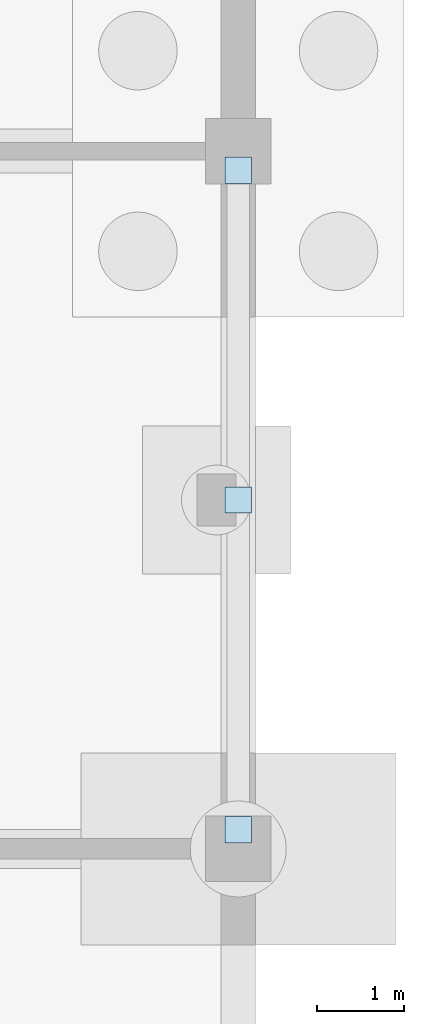
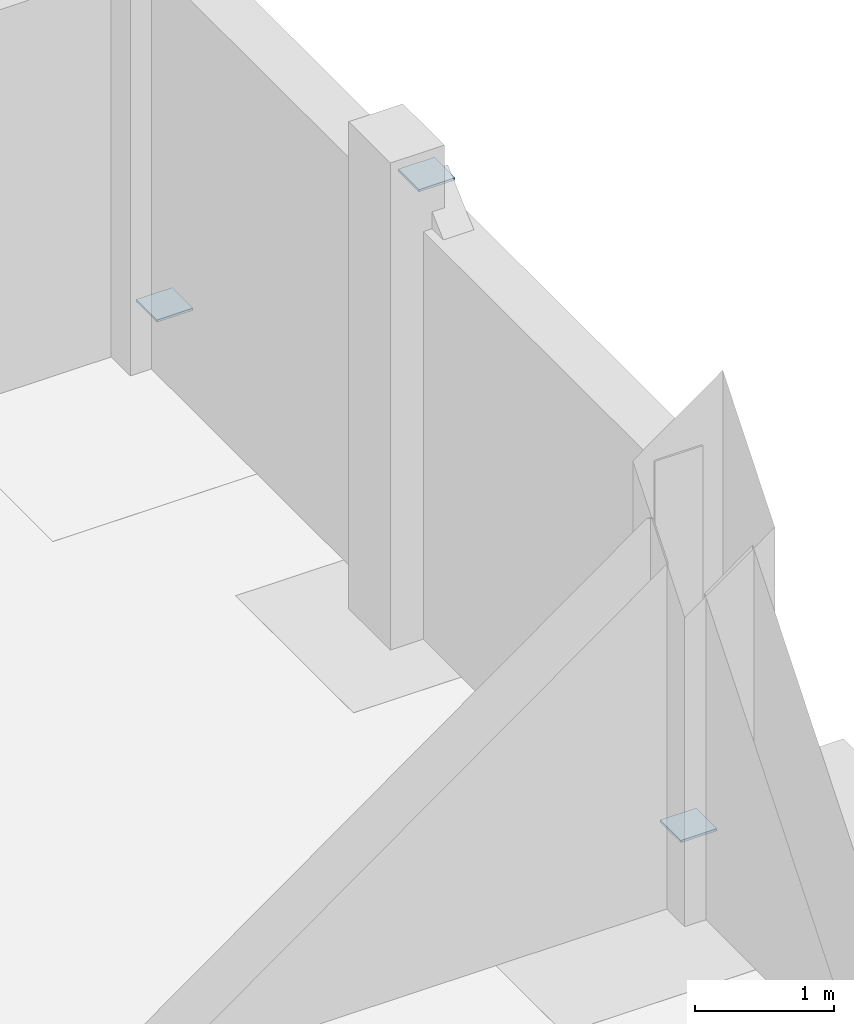
# One storey, part 25 of 48: 3 plates.
"""IFC4 building model written with IfcOpenShell, lengths in metres."""

from ifc_helpers import new_model, si_unit, derived_unit, direction, frame, origin, origin_2d, place, context, subcontext, project, spatial, rectangle, extrude, material, layer, layer_set, type_object, element, save


model = new_model("IFC4")

# Units and contexts
model_context = context("Model", 3, precision=1e-05, world=origin(), true_north=direction((0.0, 1.0)))
body_context = subcontext(model_context, "Body", "Model", "MODEL_VIEW")
ifc_project = project(units=[si_unit("LENGTHUNIT", "METRE"), si_unit("AREAUNIT", "SQUARE_METRE"), si_unit("VOLUMEUNIT", "CUBIC_METRE"), si_unit("PLANEANGLEUNIT", "RADIAN"), si_unit("MASSUNIT", "GRAM", prefix="KILO"), derived_unit("THERMALTRANSMITTANCEUNIT", [(si_unit("MASSUNIT", "GRAM", prefix="KILO"), 1), (si_unit("TIMEUNIT", "SECOND"), -3), (si_unit("THERMODYNAMICTEMPERATUREUNIT", "KELVIN"), -1)])], contexts=[model_context])

# Site, building, storey
site_placement = place(None, origin())
site = spatial("IfcSite", under=ifc_project, at=site_placement, CompositionType="ELEMENT")
building_placement = place(site_placement, origin())
building = spatial("IfcBuilding", under=site, at=building_placement, Name="Veyamyaing Civic Hall", CompositionType="ELEMENT")
storey_placement = place(building_placement, frame((0.0, 0.0, -4.2900390625)))
storey = spatial("IfcBuildingStorey", under=building, at=storey_placement, Name="B1", CompositionType="ELEMENT", Elevation=-4.2900390625)

# Plates
ifc_material = material(Name="Steel S355J2", Category="steel")
ifc_layer = layer(ifc_material, 0.02001953125, Name="Steel S355J2")
ifc_layer_set = layer_set([ifc_layer], Name="Steel S355J2")
plate_type = type_object("IfcPlateType", Name="GP-01", PredefinedType="SHEET", material=ifc_layer_set)
for number, where, z_axis, x_axis, name in (
    (1, (176.0, 88.219970703125, 0.39013671875), (0.0, 0.0, 1.0), (1.0, 0.0, 0.0), "Brace base gusset plate GP-01 BF-NE B1.L"),
    (2, (176.0, 95.780029296875, 0.39013671875), (0.0, 0.0, 1.0), (1.0, 0.0, 0.0), "Brace base gusset plate GP-01 BF-NE B1.R"),
    (3, (176.0, 92.0, 3.830078125), (0.0, 0.0, 1.0), (1.0, 0.0, 0.0), "Brace apex gusset plate GP-01 BF-NE B1"),
):
    element("IfcPlate", number, at=place(storey_placement, frame(where, z_axis=z_axis, x_axis=x_axis)), inside=storey, type_object=plate_type, Name=name, PredefinedType="SHEET", context=body_context, shape_type="SweptSolid", body=[
        extrude(rectangle(XDim=0.300048828125, YDim=0.300048828125, at=origin_2d()), origin(), (0.0, 0.0, 1.0), 0.02001953125),
    ])

save(model, "model.ifc")
